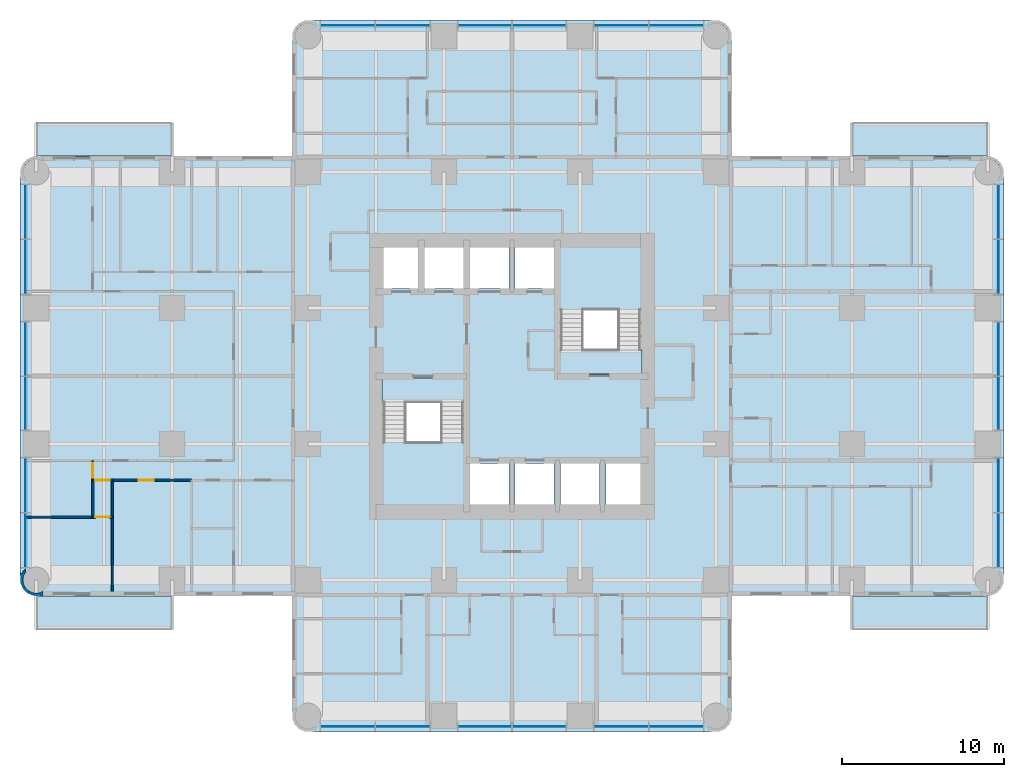
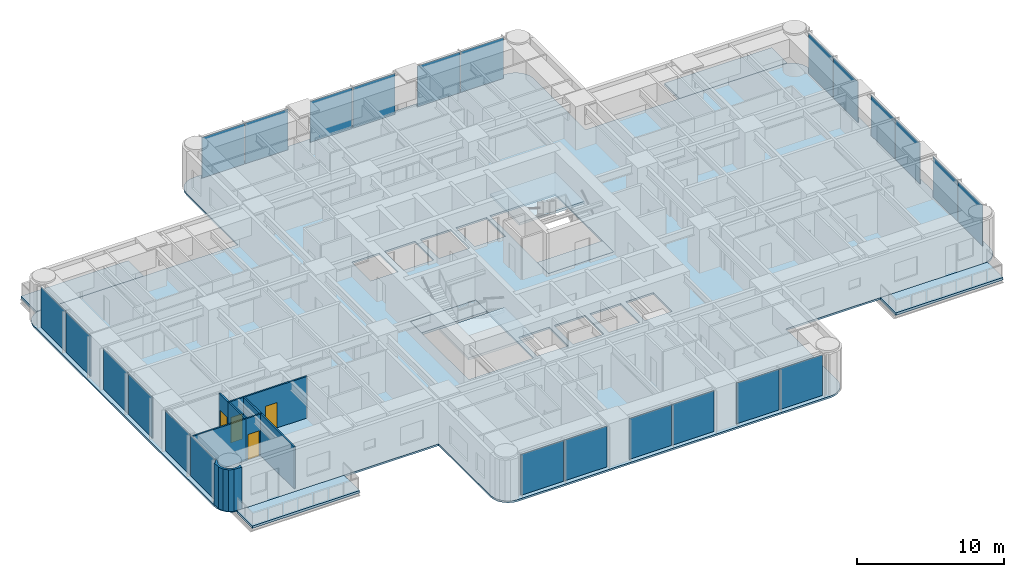
# One storey, part 5 of 14: 24 plates, 9 slabs, 9 walls, 4 doors, 4 openings, 6 elements without a shape of their own.
"""IFC4 building model written with IfcOpenShell, lengths in metres."""

from ifc_helpers import new_model, si_unit, direction, frame, frame_2d, origin, origin_2d, place, context, subcontext, project, spatial, polyline, rectangle, outline, extrude, material, layer, layer_set, type_object, element, fill, aggregate, save


model = new_model("IFC4")

# Units and contexts
model_context = context("Model", 3, precision=1e-05, world=origin(), true_north=direction((0.0, 1.0)))
body_context = subcontext(model_context, "Body", "Model", "MODEL_VIEW")
ifc_project = project(units=[si_unit("LENGTHUNIT", "METRE"), si_unit("AREAUNIT", "SQUARE_METRE"), si_unit("VOLUMEUNIT", "CUBIC_METRE"), si_unit("PLANEANGLEUNIT", "RADIAN"), si_unit("MASSUNIT", "GRAM", prefix="KILO")], contexts=[model_context])

# Site, building, storey
site_placement = place(None, origin())
site = spatial("IfcSite", under=ifc_project, at=site_placement, CompositionType="ELEMENT")
building_placement = place(site_placement, origin())
building = spatial("IfcBuilding", under=site, at=building_placement, Name="Torre Alcanfor", CompositionType="ELEMENT")
storey_placement = place(building_placement, frame((0.0, 0.0, 155.699951171875)))
storey = spatial("IfcBuildingStorey", under=building, at=storey_placement, Name="L40", CompositionType="ELEMENT", Elevation=155.699951171875)

# Slabs
ifc_material_1 = material(Name="Concrete f'c 35 MPa", Category="concrete")
ifc_layer_1 = layer(ifc_material_1, 0.199951171875)
ifc_layer_set_1 = layer_set([ifc_layer_1], Name="Balcony slab 200")
slab_type_1 = type_object("IfcSlabType", Name="Balcony slab 200", PredefinedType="FLOOR", material=ifc_layer_set_1)
slab_1_placement = place(storey_placement, frame((0.0, 0.0, -0.199951171875)))
element("IfcSlab", 1, at=slab_1_placement, inside=storey, type_object=slab_type_1, Name="Balcony L40-E1", PredefinedType="FLOOR", context=body_context, shape_type="SweptSolid", body=[
    extrude(outline(polyline([(50.39990234375, 43.0), (58.800048828125, 43.0), (58.800048828125, 45.10009765625), (50.39990234375, 45.10009765625), (50.39990234375, 43.0)])), origin(), (0.0, 0.0, 1.0), 0.199951171875),
])
slab_2_placement = place(storey_placement, frame((0.0, 0.0, -0.199951171875)))
element("IfcSlab", 2, at=slab_2_placement, inside=storey, type_object=slab_type_1, Name="Balcony L40-E2", PredefinedType="FLOOR", context=body_context, shape_type="SweptSolid", body=[
    extrude(outline(polyline([(50.39990234375, 13.699951171875), (58.800048828125, 13.699951171875), (58.800048828125, 15.800048828125), (50.39990234375, 15.800048828125), (50.39990234375, 13.699951171875)])), origin(), (0.0, 0.0, 1.0), 0.199951171875),
])
slab_3_placement = place(storey_placement, frame((0.0, 0.0, -0.199951171875)))
element("IfcSlab", 3, at=slab_3_placement, inside=storey, type_object=slab_type_1, Name="Balcony L40-W1", PredefinedType="FLOOR", context=body_context, shape_type="SweptSolid", body=[
    extrude(outline(polyline([(8.39990234375, 15.800048828125), (0.0, 15.800048828125), (0.0, 13.699951171875), (8.39990234375, 13.699951171875), (8.39990234375, 15.800048828125)])), origin(), (0.0, 0.0, 1.0), 0.199951171875),
])
slab_4_placement = place(storey_placement, frame((0.0, 0.0, -0.199951171875)))
element("IfcSlab", 4, at=slab_4_placement, inside=storey, type_object=slab_type_1, Name="Balcony L40-W2", PredefinedType="FLOOR", context=body_context, shape_type="SweptSolid", body=[
    extrude(outline(polyline([(8.39990234375, 45.10009765625), (0.0, 45.10009765625), (0.0, 43.0), (8.39990234375, 43.0), (8.39990234375, 45.10009765625)])), origin(), (0.0, 0.0, 1.0), 0.199951171875),
])

# Curtain wall, plates
ifc_material_2 = material(Name="Aluminium and glass", Category="aluminium")
curtain_wall_type = type_object("IfcCurtainWallType", Name="CW-A unitised apartment glazing with vertical FIN", PredefinedType="NOTDEFINED", material=ifc_material_2)
curtain_wall_1_placement = place(storey_placement, origin())
curtain_wall_1 = element("IfcCurtainWall", 5, at=curtain_wall_1_placement, inside=storey, type_object=curtain_wall_type, Name="Curtain wall CW-A L40 2", PredefinedType="NOTDEFINED")
ifc_material_3 = material(Name="Glass", Category="glass")
ifc_layer_2 = layer(ifc_material_3, 0.028076171875)
ifc_layer_set_2 = layer_set([ifc_layer_2], Name="CW-A clear double glazed unit")
plate_type = type_object("IfcPlateType", Name="CW-A clear double glazed unit", PredefinedType="CURTAIN_PANEL", material=ifc_layer_set_2)
plate_1_placement = place(storey_placement, frame((-0.64990234375, 39.541259765625, 0.0), z_axis=(0.0, 0.0, 1.0), x_axis=(0.0, -1.0, 0.0)))
plate_1 = element("IfcPlate", 6, at=plate_1_placement, type_object=plate_type, Name="CW-A panel 1.1.1", PredefinedType="CURTAIN_PANEL", context=body_context, shape_type="SweptSolid", body=[
    extrude(rectangle(XDim=3.337646484375, YDim=0.028076171875, at=origin_2d()), origin(), (0.0, 0.0, 1.0), 3.385009765625),
])
plate_2_placement = place(storey_placement, frame((-0.64990234375, 36.138671875, 0.0), z_axis=(0.0, 0.0, 1.0), x_axis=(0.0, -1.0, 0.0)))
plate_2 = element("IfcPlate", 7, at=plate_2_placement, type_object=plate_type, Name="CW-A panel 1.2.1", PredefinedType="CURTAIN_PANEL", context=body_context, shape_type="SweptSolid", body=[
    extrude(rectangle(XDim=3.337646484375, YDim=0.028076171875, at=origin_2d()), origin(), (0.0, 0.0, 1.0), 3.385009765625),
])
plate_3_placement = place(storey_placement, frame((-0.64990234375, 31.081298828125, 0.0), z_axis=(0.0, 0.0, 1.0), x_axis=(0.0, -1.0, 0.0)))
plate_3 = element("IfcPlate", 8, at=plate_3_placement, type_object=plate_type, Name="CW-A panel 2.1.1", PredefinedType="CURTAIN_PANEL", context=body_context, shape_type="SweptSolid", body=[
    extrude(rectangle(XDim=3.297607421875, YDim=0.028076171875, at=origin_2d()), origin(), (0.0, 0.0, 1.0), 3.385009765625),
])
plate_4_placement = place(storey_placement, frame((-0.64990234375, 27.71875, 0.0), z_axis=(0.0, 0.0, 1.0), x_axis=(0.0, -1.0, 0.0)))
plate_4 = element("IfcPlate", 9, at=plate_4_placement, type_object=plate_type, Name="CW-A panel 2.2.1", PredefinedType="CURTAIN_PANEL", context=body_context, shape_type="SweptSolid", body=[
    extrude(rectangle(XDim=3.297607421875, YDim=0.028076171875, at=origin_2d()), origin(), (0.0, 0.0, 1.0), 3.385009765625),
])
plate_5_placement = place(storey_placement, frame((-0.64990234375, 22.6611328125, 0.0), z_axis=(0.0, 0.0, 1.0), x_axis=(0.0, -1.0, 0.0)))
plate_5 = element("IfcPlate", 10, at=plate_5_placement, type_object=plate_type, Name="CW-A panel 3.1.1", PredefinedType="CURTAIN_PANEL", context=body_context, shape_type="SweptSolid", body=[
    extrude(rectangle(XDim=3.337646484375, YDim=0.028076171875, at=origin_2d()), origin(), (0.0, 0.0, 1.0), 3.385009765625),
])
plate_6_placement = place(storey_placement, frame((-0.64990234375, 19.2587890625, 0.0), z_axis=(0.0, 0.0, 1.0), x_axis=(0.0, -1.0, 0.0)))
plate_6 = element("IfcPlate", 11, at=plate_6_placement, type_object=plate_type, Name="CW-A panel 3.2.1", PredefinedType="CURTAIN_PANEL", context=body_context, shape_type="SweptSolid", body=[
    extrude(rectangle(XDim=3.337646484375, YDim=0.028076171875, at=origin_2d()), origin(), (0.0, 0.0, 1.0), 3.385009765625),
])
aggregate(curtain_wall_1, [plate_1, plate_2, plate_3, plate_4, plate_5, plate_6])

curtain_wall_2_placement = place(storey_placement, origin())
curtain_wall_2 = element("IfcCurtainWall", 12, at=curtain_wall_2_placement, inside=storey, type_object=curtain_wall_type, Name="Curtain wall CW-A L40 5", PredefinedType="NOTDEFINED")
plate_7_placement = place(storey_placement, frame((19.2587890625, 7.75, 0.0), z_axis=(0.0, 0.0, 1.0), x_axis=(1.0, 0.0, 0.0)))
plate_7 = element("IfcPlate", 13, at=plate_7_placement, type_object=plate_type, Name="CW-A panel 1.1.1", PredefinedType="CURTAIN_PANEL", context=body_context, shape_type="SweptSolid", body=[
    extrude(rectangle(XDim=3.337646484375, YDim=0.028076171875, at=origin_2d()), origin(), (0.0, 0.0, 1.0), 3.385009765625),
])
plate_8_placement = place(storey_placement, frame((22.6611328125, 7.75, 0.0), z_axis=(0.0, 0.0, 1.0), x_axis=(1.0, 0.0, 0.0)))
plate_8 = element("IfcPlate", 14, at=plate_8_placement, type_object=plate_type, Name="CW-A panel 1.2.1", PredefinedType="CURTAIN_PANEL", context=body_context, shape_type="SweptSolid", body=[
    extrude(rectangle(XDim=3.337646484375, YDim=0.028076171875, at=origin_2d()), origin(), (0.0, 0.0, 1.0), 3.385009765625),
])
plate_9_placement = place(storey_placement, frame((27.71875, 7.75, 0.0), z_axis=(0.0, 0.0, 1.0), x_axis=(1.0, 0.0, 0.0)))
plate_9 = element("IfcPlate", 15, at=plate_9_placement, type_object=plate_type, Name="CW-A panel 2.1.1", PredefinedType="CURTAIN_PANEL", context=body_context, shape_type="SweptSolid", body=[
    extrude(rectangle(XDim=3.297607421875, YDim=0.028076171875, at=origin_2d()), origin(), (0.0, 0.0, 1.0), 3.385009765625),
])
plate_10_placement = place(storey_placement, frame((31.081298828125, 7.75, 0.0), z_axis=(0.0, 0.0, 1.0), x_axis=(1.0, 0.0, 0.0)))
plate_10 = element("IfcPlate", 16, at=plate_10_placement, type_object=plate_type, Name="CW-A panel 2.2.1", PredefinedType="CURTAIN_PANEL", context=body_context, shape_type="SweptSolid", body=[
    extrude(rectangle(XDim=3.297607421875, YDim=0.028076171875, at=origin_2d()), origin(), (0.0, 0.0, 1.0), 3.385009765625),
])
plate_11_placement = place(storey_placement, frame((36.138671875, 7.75, 0.0), z_axis=(0.0, 0.0, 1.0), x_axis=(1.0, 0.0, 0.0)))
plate_11 = element("IfcPlate", 17, at=plate_11_placement, type_object=plate_type, Name="CW-A panel 3.1.1", PredefinedType="CURTAIN_PANEL", context=body_context, shape_type="SweptSolid", body=[
    extrude(rectangle(XDim=3.337646484375, YDim=0.028076171875, at=origin_2d()), origin(), (0.0, 0.0, 1.0), 3.385009765625),
])
plate_12_placement = place(storey_placement, frame((39.541259765625, 7.75, 0.0), z_axis=(0.0, 0.0, 1.0), x_axis=(1.0, 0.0, 0.0)))
plate_12 = element("IfcPlate", 18, at=plate_12_placement, type_object=plate_type, Name="CW-A panel 3.2.1", PredefinedType="CURTAIN_PANEL", context=body_context, shape_type="SweptSolid", body=[
    extrude(rectangle(XDim=3.337646484375, YDim=0.028076171875, at=origin_2d()), origin(), (0.0, 0.0, 1.0), 3.385009765625),
])
aggregate(curtain_wall_2, [plate_7, plate_8, plate_9, plate_10, plate_11, plate_12])

curtain_wall_3_placement = place(storey_placement, origin())
curtain_wall_3 = element("IfcCurtainWall", 19, at=curtain_wall_3_placement, inside=storey, type_object=curtain_wall_type, Name="Curtain wall CW-A L40 8", PredefinedType="NOTDEFINED")
plate_13_placement = place(storey_placement, frame((59.449951171875, 19.2587890625, 0.0), z_axis=(0.0, 0.0, 1.0), x_axis=(0.0, 1.0, 0.0)))
plate_13 = element("IfcPlate", 20, at=plate_13_placement, type_object=plate_type, Name="CW-A panel 1.1.1", PredefinedType="CURTAIN_PANEL", context=body_context, shape_type="SweptSolid", body=[
    extrude(rectangle(XDim=3.337646484375, YDim=0.028076171875, at=origin_2d()), origin(), (0.0, 0.0, 1.0), 3.385009765625),
])
plate_14_placement = place(storey_placement, frame((59.449951171875, 22.6611328125, 0.0), z_axis=(0.0, 0.0, 1.0), x_axis=(0.0, 1.0, 0.0)))
plate_14 = element("IfcPlate", 21, at=plate_14_placement, type_object=plate_type, Name="CW-A panel 1.2.1", PredefinedType="CURTAIN_PANEL", context=body_context, shape_type="SweptSolid", body=[
    extrude(rectangle(XDim=3.337646484375, YDim=0.028076171875, at=origin_2d()), origin(), (0.0, 0.0, 1.0), 3.385009765625),
])
plate_15_placement = place(storey_placement, frame((59.449951171875, 27.71875, 0.0), z_axis=(0.0, 0.0, 1.0), x_axis=(0.0, 1.0, 0.0)))
plate_15 = element("IfcPlate", 22, at=plate_15_placement, type_object=plate_type, Name="CW-A panel 2.1.1", PredefinedType="CURTAIN_PANEL", context=body_context, shape_type="SweptSolid", body=[
    extrude(rectangle(XDim=3.297607421875, YDim=0.028076171875, at=origin_2d()), origin(), (0.0, 0.0, 1.0), 3.385009765625),
])
plate_16_placement = place(storey_placement, frame((59.449951171875, 31.081298828125, 0.0), z_axis=(0.0, 0.0, 1.0), x_axis=(0.0, 1.0, 0.0)))
plate_16 = element("IfcPlate", 23, at=plate_16_placement, type_object=plate_type, Name="CW-A panel 2.2.1", PredefinedType="CURTAIN_PANEL", context=body_context, shape_type="SweptSolid", body=[
    extrude(rectangle(XDim=3.297607421875, YDim=0.028076171875, at=origin_2d()), origin(), (0.0, 0.0, 1.0), 3.385009765625),
])
plate_17_placement = place(storey_placement, frame((59.449951171875, 36.138671875, 0.0), z_axis=(0.0, 0.0, 1.0), x_axis=(0.0, 1.0, 0.0)))
plate_17 = element("IfcPlate", 24, at=plate_17_placement, type_object=plate_type, Name="CW-A panel 3.1.1", PredefinedType="CURTAIN_PANEL", context=body_context, shape_type="SweptSolid", body=[
    extrude(rectangle(XDim=3.337646484375, YDim=0.028076171875, at=origin_2d()), origin(), (0.0, 0.0, 1.0), 3.385009765625),
])
plate_18_placement = place(storey_placement, frame((59.449951171875, 39.541259765625, 0.0), z_axis=(0.0, 0.0, 1.0), x_axis=(0.0, 1.0, 0.0)))
plate_18 = element("IfcPlate", 25, at=plate_18_placement, type_object=plate_type, Name="CW-A panel 3.2.1", PredefinedType="CURTAIN_PANEL", context=body_context, shape_type="SweptSolid", body=[
    extrude(rectangle(XDim=3.337646484375, YDim=0.028076171875, at=origin_2d()), origin(), (0.0, 0.0, 1.0), 3.385009765625),
])
aggregate(curtain_wall_3, [plate_13, plate_14, plate_15, plate_16, plate_17, plate_18])

curtain_wall_4_placement = place(storey_placement, origin())
curtain_wall_4 = element("IfcCurtainWall", 26, at=curtain_wall_4_placement, inside=storey, type_object=curtain_wall_type, Name="Curtain wall CW-A L40 11", PredefinedType="NOTDEFINED")
plate_19_placement = place(storey_placement, frame((39.541259765625, 51.050048828125, 0.0), z_axis=(0.0, 0.0, 1.0), x_axis=(-1.0, 0.0, 0.0)))
plate_19 = element("IfcPlate", 27, at=plate_19_placement, type_object=plate_type, Name="CW-A panel 1.1.1", PredefinedType="CURTAIN_PANEL", context=body_context, shape_type="SweptSolid", body=[
    extrude(rectangle(XDim=3.337646484375, YDim=0.028076171875, at=origin_2d()), origin(), (0.0, 0.0, 1.0), 3.385009765625),
])
plate_20_placement = place(storey_placement, frame((36.138671875, 51.050048828125, 0.0), z_axis=(0.0, 0.0, 1.0), x_axis=(-1.0, 0.0, 0.0)))
plate_20 = element("IfcPlate", 28, at=plate_20_placement, type_object=plate_type, Name="CW-A panel 1.2.1", PredefinedType="CURTAIN_PANEL", context=body_context, shape_type="SweptSolid", body=[
    extrude(rectangle(XDim=3.337646484375, YDim=0.028076171875, at=origin_2d()), origin(), (0.0, 0.0, 1.0), 3.385009765625),
])
plate_21_placement = place(storey_placement, frame((31.081298828125, 51.050048828125, 0.0), z_axis=(0.0, 0.0, 1.0), x_axis=(-1.0, 0.0, 0.0)))
plate_21 = element("IfcPlate", 29, at=plate_21_placement, type_object=plate_type, Name="CW-A panel 2.1.1", PredefinedType="CURTAIN_PANEL", context=body_context, shape_type="SweptSolid", body=[
    extrude(rectangle(XDim=3.297607421875, YDim=0.028076171875, at=origin_2d()), origin(), (0.0, 0.0, 1.0), 3.385009765625),
])
plate_22_placement = place(storey_placement, frame((27.71875, 51.050048828125, 0.0), z_axis=(0.0, 0.0, 1.0), x_axis=(-1.0, 0.0, 0.0)))
plate_22 = element("IfcPlate", 30, at=plate_22_placement, type_object=plate_type, Name="CW-A panel 2.2.1", PredefinedType="CURTAIN_PANEL", context=body_context, shape_type="SweptSolid", body=[
    extrude(rectangle(XDim=3.297607421875, YDim=0.028076171875, at=origin_2d()), origin(), (0.0, 0.0, 1.0), 3.385009765625),
])
plate_23_placement = place(storey_placement, frame((22.6611328125, 51.050048828125, 0.0), z_axis=(0.0, 0.0, 1.0), x_axis=(-1.0, 0.0, 0.0)))
plate_23 = element("IfcPlate", 31, at=plate_23_placement, type_object=plate_type, Name="CW-A panel 3.1.1", PredefinedType="CURTAIN_PANEL", context=body_context, shape_type="SweptSolid", body=[
    extrude(rectangle(XDim=3.337646484375, YDim=0.028076171875, at=origin_2d()), origin(), (0.0, 0.0, 1.0), 3.385009765625),
])
plate_24_placement = place(storey_placement, frame((19.2587890625, 51.050048828125, 0.0), z_axis=(0.0, 0.0, 1.0), x_axis=(-1.0, 0.0, 0.0)))
plate_24 = element("IfcPlate", 32, at=plate_24_placement, type_object=plate_type, Name="CW-A panel 3.2.1", PredefinedType="CURTAIN_PANEL", context=body_context, shape_type="SweptSolid", body=[
    extrude(rectangle(XDim=3.337646484375, YDim=0.028076171875, at=origin_2d()), origin(), (0.0, 0.0, 1.0), 3.385009765625),
])
aggregate(curtain_wall_4, [plate_19, plate_20, plate_21, plate_22, plate_23, plate_24])

# Slab
ifc_material_4 = material(Name="Concrete f'c 35 MPa", Category="concrete")
ifc_layer_3 = layer(ifc_material_4, 0.14990234375)
ifc_layer_set_3 = layer_set([ifc_layer_3], Name="Composite floor 150 on metal deck")
slab_type_2 = type_object("IfcSlabType", Name="Composite floor 150 on metal deck", PredefinedType="FLOOR", material=ifc_layer_set_3)
slab_5_placement = place(storey_placement, frame((0.0, 0.0, -0.14990234375)))
element("IfcSlab", 33, at=slab_5_placement, inside=storey, type_object=slab_type_2, Name="Floor slab L40", PredefinedType="FLOOR", context=body_context, shape_type="SweptSolid", body=[
    extrude(outline(polyline([(15.800048828125, 43.0), (0.39990234375, 43.0), (0.03759765625, 42.952392578125), (-0.300048828125, 42.8125), (-0.58984375, 42.58984375), (-0.8125, 42.300048828125), (-0.952392578125, 41.96240234375), (-1.0, 41.60009765625), (-1.0, 17.199951171875), (-0.952392578125, 16.837646484375), (-0.8125, 16.5), (-0.58984375, 16.210205078125), (-0.300048828125, 15.987548828125), (0.03759765625, 15.84765625), (0.39990234375, 15.800048828125), (15.800048828125, 15.800048828125), (15.800048828125, 8.800048828125), (15.84765625, 8.437744140625), (15.987548828125, 8.10009765625), (16.210205078125, 7.81005859375), (16.5, 7.587646484375), (16.837646484375, 7.44775390625), (17.199951171875, 7.39990234375), (41.60009765625, 7.39990234375), (41.96240234375, 7.44775390625), (42.300048828125, 7.587646484375), (42.58984375, 7.81005859375), (42.8125, 8.10009765625), (42.952392578125, 8.437744140625), (43.0, 8.800048828125), (43.0, 15.800048828125), (58.39990234375, 15.800048828125), (58.76220703125, 15.84765625), (59.10009765625, 15.987548828125), (59.389892578125, 16.210205078125), (59.6123046875, 16.5), (59.752197265625, 16.837646484375), (59.800048828125, 17.199951171875), (59.800048828125, 41.60009765625), (59.752197265625, 41.96240234375), (59.6123046875, 42.300048828125), (59.389892578125, 42.58984375), (59.10009765625, 42.8125), (58.76220703125, 42.952392578125), (58.39990234375, 43.0), (43.0, 43.0), (43.0, 50.0), (42.952392578125, 50.3623046875), (42.8125, 50.699951171875), (42.58984375, 50.989990234375), (42.300048828125, 51.21240234375), (41.96240234375, 51.352294921875), (41.60009765625, 51.39990234375), (17.199951171875, 51.39990234375), (16.837646484375, 51.352294921875), (16.5, 51.21240234375), (16.210205078125, 50.989990234375), (15.987548828125, 50.699951171875), (15.84765625, 50.3623046875), (15.800048828125, 50.0), (15.800048828125, 43.0)]), holes=[polyline([(21.3701171875, 21.3701171875), (26.47998046875, 21.3701171875), (26.47998046875, 29.280029296875), (21.3701171875, 29.280029296875), (21.3701171875, 21.3701171875)]), polyline([(32.320068359375, 29.52001953125), (37.429931640625, 29.52001953125), (37.429931640625, 37.429931640625), (32.320068359375, 37.429931640625), (32.320068359375, 29.52001953125)]), polyline([(26.800048828125, 21.449951171875), (29.199951171875, 21.449951171875), (29.199951171875, 24.0), (26.800048828125, 24.0), (26.800048828125, 21.449951171875)]), polyline([(29.60009765625, 21.449951171875), (32.0, 21.449951171875), (32.0, 24.0), (29.60009765625, 24.0), (29.60009765625, 21.449951171875)]), polyline([(32.39990234375, 21.449951171875), (34.800048828125, 21.449951171875), (34.800048828125, 24.0), (32.39990234375, 24.0), (32.39990234375, 21.449951171875)]), polyline([(35.199951171875, 21.449951171875), (37.35009765625, 21.449951171875), (37.35009765625, 24.0), (35.199951171875, 24.0), (35.199951171875, 21.449951171875)]), polyline([(21.449951171875, 34.800048828125), (23.60009765625, 34.800048828125), (23.60009765625, 37.35009765625), (21.449951171875, 37.35009765625), (21.449951171875, 34.800048828125)]), polyline([(24.0, 34.800048828125), (26.39990234375, 34.800048828125), (26.39990234375, 37.35009765625), (24.0, 37.35009765625), (24.0, 34.800048828125)]), polyline([(26.800048828125, 34.800048828125), (29.199951171875, 34.800048828125), (29.199951171875, 37.35009765625), (26.800048828125, 37.35009765625), (26.800048828125, 34.800048828125)]), polyline([(29.60009765625, 34.800048828125), (32.0, 34.800048828125), (32.0, 37.35009765625), (29.60009765625, 37.35009765625), (29.60009765625, 34.800048828125)])]), origin(), (0.0, 0.0, 1.0), 0.14990234375),
])

# Stair, slabs
ifc_material_5 = material(Name="Concrete f'c 35 MPa", Category="concrete")
stair_type_1 = type_object("IfcStairType", Name="Exit stair S1 1400 wide", PredefinedType="HALF_TURN_STAIR", material=ifc_material_5)
stair_1_placement = place(storey_placement, origin())
stair_1 = element("IfcStair", 34, at=stair_1_placement, inside=storey, type_object=stair_type_1, Name="Stair S1 L40 to L41", PredefinedType="HALF_TURN_STAIR")
ifc_material_6 = material(Name="Concrete f'c 35 MPa", Category="concrete")
ifc_layer_4 = layer(ifc_material_6, 0.199951171875)
ifc_layer_set_4 = layer_set([ifc_layer_4], Name="Stair landing 200")
slab_type_3 = type_object("IfcSlabType", Name="Stair landing 200", PredefinedType="LANDING", material=ifc_layer_set_4)
slab_6_placement = place(storey_placement, frame((0.0, 0.0, -0.199951171875)))
slab_6 = element("IfcSlab", 35, at=slab_6_placement, type_object=slab_type_3, Name="S1 landing 1", PredefinedType="LANDING", context=body_context, shape_type="SweptSolid", body=[
    extrude(outline(polyline([(21.3701171875, 27.75), (26.47998046875, 27.75), (26.47998046875, 29.280029296875), (21.3701171875, 29.280029296875), (21.3701171875, 27.75)])), origin(), (0.0, 0.0, 1.0), 0.199951171875),
])
slab_7_placement = place(storey_placement, frame((0.0, 0.0, 1.60009765625)))
slab_7 = element("IfcSlab", 36, at=slab_7_placement, type_object=slab_type_3, Name="S1 landing 2", PredefinedType="LANDING", context=body_context, shape_type="SweptSolid", body=[
    extrude(outline(polyline([(21.3701171875, 21.3701171875), (26.47998046875, 21.3701171875), (26.47998046875, 25.330078125), (21.3701171875, 25.330078125), (21.3701171875, 21.3701171875)])), origin(), (0.0, 0.0, 1.0), 0.199951171875),
])
aggregate(stair_1, [slab_6, slab_7])

ifc_material_7 = material(Name="Concrete f'c 35 MPa", Category="concrete")
stair_type_2 = type_object("IfcStairType", Name="Exit stair S2 1400 wide", PredefinedType="HALF_TURN_STAIR", material=ifc_material_7)
stair_2_placement = place(storey_placement, origin())
stair_2 = element("IfcStair", 37, at=stair_2_placement, inside=storey, type_object=stair_type_2, Name="Stair S2 L40 to L41", PredefinedType="HALF_TURN_STAIR")
slab_8_placement = place(storey_placement, frame((0.0, 0.0, -0.199951171875)))
slab_8 = element("IfcSlab", 38, at=slab_8_placement, type_object=slab_type_3, Name="S2 landing 1", PredefinedType="LANDING", context=body_context, shape_type="SweptSolid", body=[
    extrude(outline(polyline([(32.320068359375, 29.52001953125), (37.429931640625, 29.52001953125), (37.429931640625, 31.050048828125), (32.320068359375, 31.050048828125), (32.320068359375, 29.52001953125)])), origin(), (0.0, 0.0, 1.0), 0.199951171875),
])
slab_9_placement = place(storey_placement, frame((0.0, 0.0, 1.60009765625)))
slab_9 = element("IfcSlab", 39, at=slab_9_placement, type_object=slab_type_3, Name="S2 landing 2", PredefinedType="LANDING", context=body_context, shape_type="SweptSolid", body=[
    extrude(outline(polyline([(32.320068359375, 33.469970703125), (37.429931640625, 33.469970703125), (37.429931640625, 37.429931640625), (32.320068359375, 37.429931640625), (32.320068359375, 33.469970703125)])), origin(), (0.0, 0.0, 1.0), 0.199951171875),
])
aggregate(stair_2, [slab_8, slab_9])

# Wall, opening, door
ifc_material_8 = material(Name="Gypsum board on steel studs", Category="steel")
ifc_layer_5 = layer(ifc_material_8, 0.1201171875)
ifc_layer_set_5 = layer_set([ifc_layer_5], Name="Apartment partition 120")
wall_type_1 = type_object("IfcWallType", Name="Apartment partition 120", PredefinedType="PARTITIONING", material=ifc_layer_set_5)
wall_1_placement = place(storey_placement, frame((4.699951171875, 22.970947265625, 0.0), z_axis=(0.0, 0.0, 1.0), x_axis=(1.0, 0.0, 0.0)))
wall_1 = element("IfcWall", 40, at=wall_1_placement, inside=storey, type_object=wall_type_1, Name="Partition L40-W1-HALL / L40-W1-BED3", PredefinedType="PARTITIONING", context=body_context, shape_type="SweptSolid", body=[
    extrude(rectangle(XDim=4.900146484375, YDim=0.1201171875, at=frame_2d((2.4501953125, 0.0))), origin(), (0.0, 0.0, 1.0), 3.449951171875),
])
opening_1_placement = place(wall_1_placement, frame((1.64990234375, 0.0, 0.0)))
opening_1 = element("IfcOpeningElement", 41, at=opening_1_placement, cuts=wall_1, Name="Opening D-R1", PredefinedType="OPENING", context=body_context, shape_type="SweptSolid", body=[
    extrude(rectangle(XDim=0.89990234375, YDim=2.10009765625, at=frame_2d((0.449951171875, 1.050048828125))), frame((0.0, 0.070068359375, 0.0), z_axis=(0.0, -1.0, 0.0), x_axis=(1.0, 0.0, 0.0)), (0.0, 0.0, 1.0), 0.14013671875),
])
ifc_material_9 = material(Name="Timber", Category="wood")
door_type = type_object("IfcDoorType", Name="Internal door 900x2100", OperationType="SINGLE_SWING_LEFT", PredefinedType="DOOR", material=ifc_material_9)
door_1_placement = place(opening_1_placement, frame((0.89990234375, 0.0, 0.0), z_axis=(0.0, 0.0, 1.0), x_axis=(-1.0, 0.0, 0.0)))
door_1 = element("IfcDoor", 42, at=door_1_placement, inside=storey, type_object=door_type, Name="Door L40-W1 bed3", OperationType="SINGLE_SWING_RIGHT", OverallHeight=2.10009765625, OverallWidth=0.89990234375, PredefinedType="DOOR", context=body_context, shape_type="SweptSolid", body=[
    extrude(rectangle(XDim=0.89990234375, YDim=2.10009765625, at=frame_2d((0.449951171875, 1.050048828125))), frame((0.0, 0.025146484375, 0.0), z_axis=(0.0, -1.0, 0.0), x_axis=(1.0, 0.0, 0.0)), (0.0, 0.0, 1.0), 0.050048828125),
])
fill(opening_1, door_1)

wall_2_placement = place(storey_placement, frame((3.5, 22.970947265625, 0.0), z_axis=(0.0, 0.0, 1.0), x_axis=(1.0, 0.0, 0.0)))
wall_2 = element("IfcWall", 43, at=wall_2_placement, inside=storey, type_object=wall_type_1, Name="Partition L40-W1-HALL / L40-W1-VEST", PredefinedType="PARTITIONING", context=body_context, shape_type="SweptSolid", body=[
    extrude(rectangle(XDim=1.199951171875, YDim=0.1201171875, at=frame_2d((0.60009765625, 0.0))), origin(), (0.0, 0.0, 1.0), 3.449951171875),
])
opening_2_placement = place(wall_2_placement, frame((0.14990234375, 0.0, 0.0)))
opening_2 = element("IfcOpeningElement", 44, at=opening_2_placement, cuts=wall_2, Name="Opening D-R1", PredefinedType="OPENING", context=body_context, shape_type="SweptSolid", body=[
    extrude(rectangle(XDim=0.89990234375, YDim=2.10009765625, at=frame_2d((0.449951171875, 1.050048828125))), frame((0.0, 0.070068359375, 0.0), z_axis=(0.0, -1.0, 0.0), x_axis=(1.0, 0.0, 0.0)), (0.0, 0.0, 1.0), 0.14013671875),
])
door_2_placement = place(opening_2_placement, frame((0.89990234375, 0.0, 0.0), z_axis=(0.0, 0.0, 1.0), x_axis=(-1.0, 0.0, 0.0)))
door_2 = element("IfcDoor", 45, at=door_2_placement, inside=storey, type_object=door_type, Name="Door L40-W1 vest", OperationType="SINGLE_SWING_RIGHT", OverallHeight=2.10009765625, OverallWidth=0.89990234375, PredefinedType="DOOR", context=body_context, shape_type="SweptSolid", body=[
    extrude(rectangle(XDim=0.89990234375, YDim=2.10009765625, at=frame_2d((0.449951171875, 1.050048828125))), frame((0.0, 0.025146484375, 0.0), z_axis=(0.0, -1.0, 0.0), x_axis=(1.0, 0.0, 0.0)), (0.0, 0.0, 1.0), 0.050048828125),
])
fill(opening_2, door_2)

wall_3_placement = place(storey_placement, frame((3.5, 24.1708984375, 0.0), z_axis=(0.0, 0.0, 1.0), x_axis=(0.0, -1.0, 0.0)))
wall_3 = element("IfcWall", 46, at=wall_3_placement, inside=storey, type_object=wall_type_1, Name="Partition L40-W1-HALL / L40-W1-BED2", PredefinedType="PARTITIONING", context=body_context, shape_type="SweptSolid", body=[
    extrude(rectangle(XDim=1.199951171875, YDim=0.1201171875, at=frame_2d((0.60009765625, 0.0))), origin(), (0.0, 0.0, 1.0), 3.449951171875),
])
opening_3_placement = place(wall_3_placement, frame((0.15087890625, 0.0, 0.0)))
opening_3 = element("IfcOpeningElement", 47, at=opening_3_placement, cuts=wall_3, Name="Opening D-R1", PredefinedType="OPENING", context=body_context, shape_type="SweptSolid", body=[
    extrude(rectangle(XDim=0.89990234375, YDim=2.10009765625, at=frame_2d((0.449951171875, 1.050048828125))), frame((0.0, 0.070068359375, 0.0), z_axis=(0.0, -1.0, 0.0), x_axis=(1.0, 0.0, 0.0)), (0.0, 0.0, 1.0), 0.14013671875),
])
door_3_placement = place(opening_3_placement, frame((0.89990234375, 0.0, 0.0), z_axis=(0.0, 0.0, 1.0), x_axis=(-1.0, 0.0, 0.0)))
door_3 = element("IfcDoor", 48, at=door_3_placement, inside=storey, type_object=door_type, Name="Door L40-W1 bed2", OperationType="SINGLE_SWING_RIGHT", OverallHeight=2.10009765625, OverallWidth=0.89990234375, PredefinedType="DOOR", context=body_context, shape_type="SweptSolid", body=[
    extrude(rectangle(XDim=0.89990234375, YDim=2.10009765625, at=frame_2d((0.449951171875, 1.050048828125))), frame((0.0, 0.025146484375, 0.0), z_axis=(0.0, -1.0, 0.0), x_axis=(1.0, 0.0, 0.0)), (0.0, 0.0, 1.0), 0.050048828125),
])
fill(opening_3, door_3)

# Walls
wall_4_placement = place(storey_placement, frame((4.699951171875, 22.970947265625, 0.0), z_axis=(0.0, 0.0, 1.0), x_axis=(0.0, -1.0, 0.0)))
element("IfcWall", 49, at=wall_4_placement, inside=storey, type_object=wall_type_1, Name="Partition L40-W1-BED3 / L40-W1-VEST", PredefinedType="PARTITIONING", context=body_context, shape_type="SweptSolid", body=[
    extrude(rectangle(XDim=2.284912109375, YDim=0.1201171875, at=frame_2d((1.142578125, 0.0))), origin(), (0.0, 0.0, 1.0), 3.449951171875),
])
wall_5_placement = place(storey_placement, frame((4.699951171875, 20.68603515625, 0.0), z_axis=(0.0, 0.0, 1.0), x_axis=(0.0, -1.0, 0.0)))
element("IfcWall", 50, at=wall_5_placement, inside=storey, type_object=wall_type_1, Name="Partition L40-W1-BED3 / L40-W1-MASTER", PredefinedType="PARTITIONING", context=body_context, shape_type="SweptSolid", body=[
    extrude(rectangle(XDim=4.5859375, YDim=0.1201171875, at=frame_2d((2.29296875, 0.0))), origin(), (0.0, 0.0, 1.0), 3.449951171875),
])
wall_6_placement = place(storey_placement, frame((3.5, 22.970947265625, 0.0), z_axis=(0.0, 0.0, 1.0), x_axis=(0.0, -1.0, 0.0)))
element("IfcWall", 51, at=wall_6_placement, inside=storey, type_object=wall_type_1, Name="Partition L40-W1-VEST / L40-W1-BED2", PredefinedType="PARTITIONING", context=body_context, shape_type="SweptSolid", body=[
    extrude(rectangle(XDim=2.284912109375, YDim=0.1201171875, at=frame_2d((1.142578125, 0.0))), origin(), (0.0, 0.0, 1.0), 3.449951171875),
])

# Wall, opening, door
wall_7_placement = place(storey_placement, frame((3.5, 20.68603515625, 0.0), z_axis=(0.0, 0.0, 1.0), x_axis=(1.0, 0.0, 0.0)))
wall_7 = element("IfcWall", 52, at=wall_7_placement, inside=storey, type_object=wall_type_1, Name="Partition L40-W1-VEST / L40-W1-MASTER", PredefinedType="PARTITIONING", context=body_context, shape_type="SweptSolid", body=[
    extrude(rectangle(XDim=1.199951171875, YDim=0.1201171875, at=frame_2d((0.60009765625, 0.0))), origin(), (0.0, 0.0, 1.0), 3.449951171875),
])
opening_4_placement = place(wall_7_placement, frame((0.14990234375, 0.0, 0.0)))
opening_4 = element("IfcOpeningElement", 53, at=opening_4_placement, cuts=wall_7, Name="Opening D-R1", PredefinedType="OPENING", context=body_context, shape_type="SweptSolid", body=[
    extrude(rectangle(XDim=0.89990234375, YDim=2.10009765625, at=frame_2d((0.449951171875, 1.050048828125))), frame((0.0, 0.070068359375, 0.0), z_axis=(0.0, -1.0, 0.0), x_axis=(1.0, 0.0, 0.0)), (0.0, 0.0, 1.0), 0.14013671875),
])
door_4_placement = place(opening_4_placement, origin())
door_4 = element("IfcDoor", 54, at=door_4_placement, inside=storey, type_object=door_type, Name="Door L40-W1 master", OperationType="SINGLE_SWING_LEFT", OverallHeight=2.10009765625, OverallWidth=0.89990234375, PredefinedType="DOOR", context=body_context, shape_type="SweptSolid", body=[
    extrude(rectangle(XDim=0.89990234375, YDim=2.10009765625, at=frame_2d((0.449951171875, 1.050048828125))), frame((0.0, 0.02490234375, 0.0), z_axis=(0.0, -1.0, 0.0), x_axis=(1.0, 0.0, 0.0)), (0.0, 0.0, 1.0), 0.050048828125),
])
fill(opening_4, door_4)

# Walls
wall_8_placement = place(storey_placement, frame((-0.64990234375, 20.68603515625, 0.0), z_axis=(0.0, 0.0, 1.0), x_axis=(1.0, 0.0, 0.0)))
element("IfcWall", 55, at=wall_8_placement, inside=storey, type_object=wall_type_1, Name="Partition L40-W1-BED2 / L40-W1-MASTER", PredefinedType="PARTITIONING", context=body_context, shape_type="SweptSolid", body=[
    extrude(rectangle(XDim=4.14990234375, YDim=0.1201171875, at=frame_2d((2.074951171875, 0.0))), origin(), (0.0, 0.0, 1.0), 3.449951171875),
])
ifc_material_10 = material(Name="Limestone cladding", Category="masonry")
ifc_layer_6 = layer(ifc_material_10, 0.0400390625, Name="Facing")
ifc_material_11 = material(Name="Ventilated air cavity")
ifc_layer_7 = layer(ifc_material_11, 0.02001953125, ventilated=True, Name="Ventilated joint")
ifc_material_12 = material(Name="Mineral wool insulation", Category="insulation")
ifc_layer_8 = layer(ifc_material_12, 0.10009765625, Name="Insulation")
ifc_material_13 = material(Name="Concrete f'c 35 MPa", Category="concrete")
ifc_layer_9 = layer(ifc_material_13, 0.139892578125, Name="Backing")
ifc_layer_set_6 = layer_set([ifc_layer_6, ifc_layer_7, ifc_layer_8, ifc_layer_9], Name="Rounded corner pier stone-clad 300")
wall_type_2 = type_object("IfcWallType", Name="Rounded corner pier stone-clad 300", PredefinedType="SOLIDWALL", material=ifc_layer_set_6)
wall_9_placement = place(storey_placement, frame((-0.595317512, 17.448071802, 0.0), z_axis=(0.0, 0.0, 1.0), x_axis=(-0.93923434088, -0.343276641956, 0.0)))
element("IfcWall", 56, at=wall_9_placement, inside=storey, type_object=wall_type_2, Name="Corner pier L40 14", PredefinedType="SOLIDWALL", context=body_context, shape_type="SweptSolid", body=[
    extrude(outline(polyline([(-0.36901687290747565, 1.8895155017116005), (-0.5091640790076659, 1.6212761977701722), (-0.4905903530283585, 1.6144877680830545), (-0.47948243923657013, 1.6086084348003613), (-0.21122522327048593, 1.6199972505432854), (0.08778883447046232, 1.5107119133580826), (0.3225108976454373, 1.2952164137736593), (0.4570343816413681, 1.0061292766156664), (0.470385530542732, 0.6877670550734887), (0.36101638558361415, 0.38852369207353665), (0.14552088599919094, 0.15380162889856172), (0.10803112982284666, 0.13657123594691412), (0.030844170047101382, -0.07461890759558078), (0.24094301513563465, 0.023009904898978376), (0.3335722649355225, 0.12354205241220817), (0.46526570659148436, 0.09412537095504334), (0.5319165148651629, 0.3931255880778293), (0.6305582647631567, 0.6630178779252955), (0.6143066479271062, 1.0445648337608835), (0.4533864294189357, 1.390867848169107), (0.172157378959642, 1.6490946263605986), (-0.09750560562882049, 1.747652568484677), (-0.36901687290747565, 1.8895155017116005)])), origin(), (0.0, 0.0, 1.0), 3.449951171875),
])

save(model, "model.ifc")
